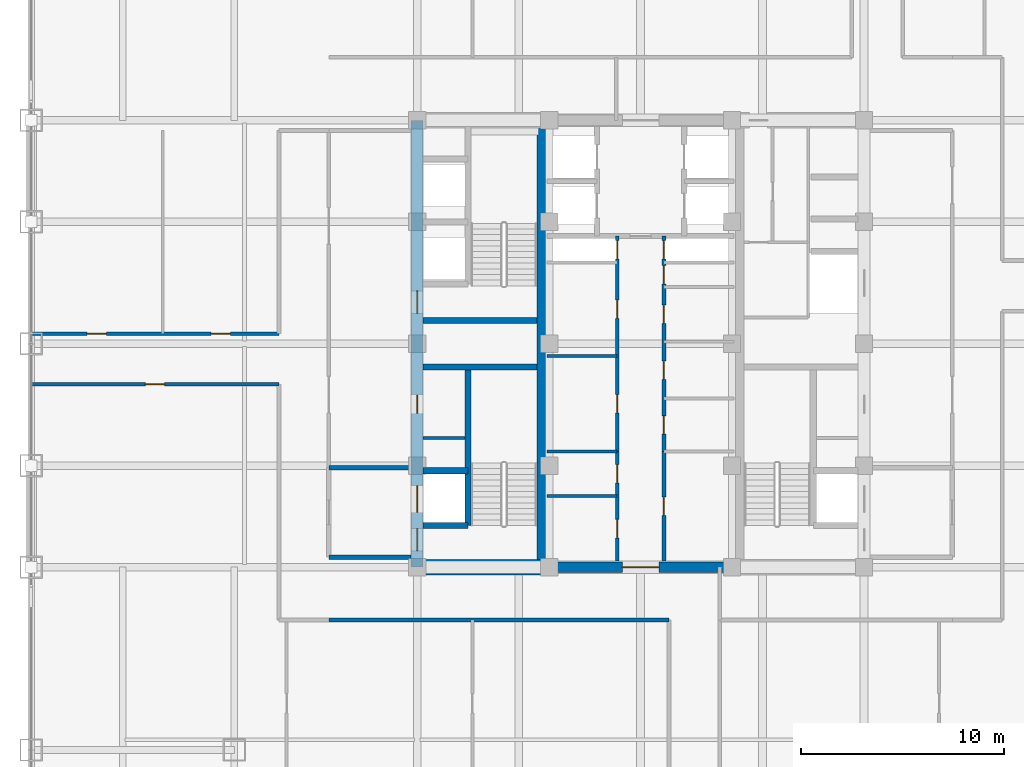
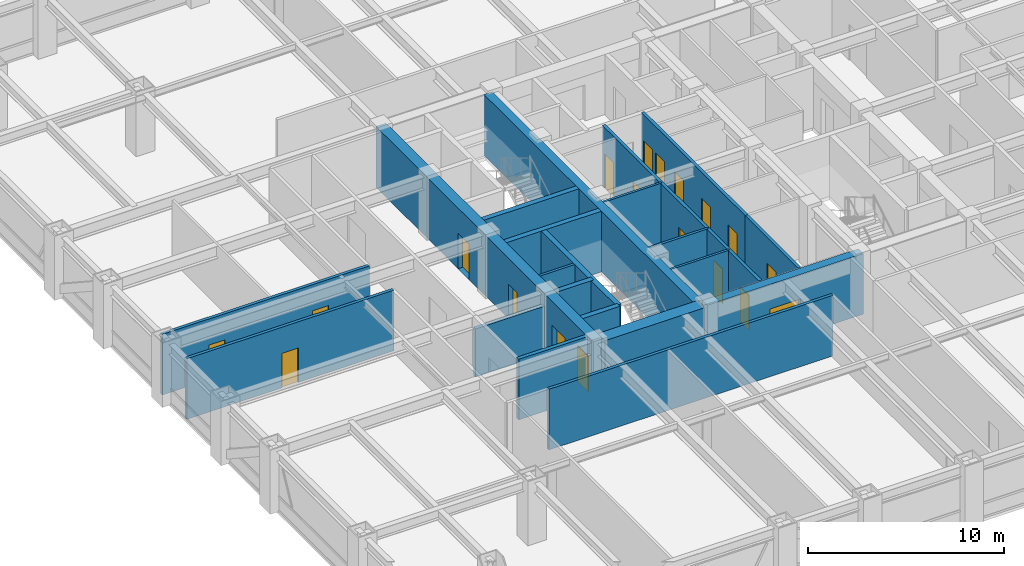
# One storey, part 20 of 24: 22 walls, 19 doors, 19 openings.
"""IFC4 building model written with IfcOpenShell, lengths in metres."""

from ifc_helpers import new_model, si_unit, direction, frame, frame_2d, origin, place, context, subcontext, project, spatial, rectangle, extrude, source, transform, mapped, material, layer, layer_set, type_object, element, fill, save


model = new_model("IFC4")

# Units and contexts
model_context = context("Model", 3, precision=1e-05, world=origin(), true_north=direction((0.0, 1.0)))
body_context = subcontext(model_context, "Body", "Model", "MODEL_VIEW")
ifc_project = project(units=[si_unit("LENGTHUNIT", "METRE"), si_unit("AREAUNIT", "SQUARE_METRE"), si_unit("VOLUMEUNIT", "CUBIC_METRE"), si_unit("PLANEANGLEUNIT", "RADIAN"), si_unit("MASSUNIT", "GRAM", prefix="KILO")], contexts=[model_context])

# Site, building, storey
site_placement = place(None, origin())
site = spatial("IfcSite", under=ifc_project, at=site_placement, CompositionType="ELEMENT")
building_placement = place(site_placement, origin())
building = spatial("IfcBuilding", under=site, at=building_placement, Name="Khorayat Bourse Tower", CompositionType="ELEMENT")
storey_placement = place(building_placement, frame((0.0, 0.0, 203.10009765625)))
storey = spatial("IfcBuildingStorey", under=building, at=storey_placement, Name="L47", CompositionType="ELEMENT", Elevation=203.10009765625)

# Wall, openings, doors
ifc_material_1 = material(Name="Concrete C60/75", Category="concrete")
ifc_layer_1 = layer(ifc_material_1, 0.60009765625)
ifc_layer_set_1 = layer_set([ifc_layer_1], Name="Concrete C60/75")
wall_type_1 = type_object("IfcWallType", Name="WAL-CORE-600", PredefinedType="SHEAR", material=ifc_layer_set_1)
shared_shape_1 = source(origin(), body_context, "Body", "SweptSolid", [
    extrude(rectangle(XDim=22.0, YDim=0.60009765625, at=frame_2d((11.0, 0.0))), origin(), (0.0, 0.0, 1.0), 3.77978515625),
])
wall_1_placement = place(storey_placement, frame((-11.0, -11.0, 0.0), z_axis=(0.0, 0.0, 1.0), x_axis=(0.0, 1.0, 0.0)))
wall_1 = element("IfcWall", 1, at=wall_1_placement, inside=storey, type_object=wall_type_1, Name="L47 Core Shear Wall CORE-W", PredefinedType="SHEAR", context=body_context, shape_type="MappedRepresentation", body=[
    mapped(shared_shape_1, transform((0.0, 0.0, 0.0), scale=1.0)),
])
shared_shape_2 = source(origin(), body_context, "Body", "SweptSolid", [
    extrude(rectangle(XDim=1.10009765625, YDim=2.199951171875, at=frame_2d((0.550048828125, 1.10009765625))), frame((0.0, 0.31005859375, 0.0), z_axis=(0.0, -1.0, 0.0), x_axis=(1.0, 0.0, 0.0)), (0.0, 0.0, 1.0), 0.6201171875),
])
opening_1_placement = place(wall_1_placement, frame((0.800048828125, 0.0, 0.0)))
opening_1 = element("IfcOpeningElement", 2, at=opening_1_placement, cuts=wall_1, Name="Opening DI-01", PredefinedType="OPENING", context=body_context, shape_type="MappedRepresentation", body=[
    mapped(shared_shape_2, transform((0.0, 0.0, 0.0), scale=1.0)),
])
opening_2_placement = place(wall_1_placement, frame((12.5, 0.0, 0.0)))
opening_2 = element("IfcOpeningElement", 3, at=opening_2_placement, cuts=wall_1, Name="Opening DI-01", PredefinedType="OPENING", context=body_context, shape_type="MappedRepresentation", body=[
    mapped(shared_shape_2, transform((0.0, 0.0, 0.0), scale=1.0)),
])
shared_shape_3 = source(origin(), body_context, "Body", "SweptSolid", [
    extrude(rectangle(XDim=0.89990234375, YDim=2.14990234375, at=frame_2d((0.449951171875, 1.074951171875))), frame((0.0, 0.31005859375, 0.0), z_axis=(0.0, -1.0, 0.0), x_axis=(1.0, 0.0, 0.0)), (0.0, 0.0, 1.0), 0.6201171875),
])
opening_3_placement = place(wall_1_placement, frame((7.574951171875, 0.0, 0.0)))
opening_3 = element("IfcOpeningElement", 4, at=opening_3_placement, cuts=wall_1, Name="Opening DI-06", PredefinedType="OPENING", context=body_context, shape_type="MappedRepresentation", body=[
    mapped(shared_shape_3, transform((0.0, 0.0, 0.0), scale=1.0)),
])
shared_shape_4 = source(origin(), body_context, "Body", "SweptSolid", [
    extrude(rectangle(XDim=1.300048828125, YDim=2.300048828125, at=frame_2d((0.64990234375, 1.14990234375))), frame((0.0, 0.31005859375, 0.0), z_axis=(0.0, -1.0, 0.0), x_axis=(1.0, 0.0, 0.0)), (0.0, 0.0, 1.0), 0.6201171875),
])
opening_4_placement = place(wall_1_placement, frame((2.699951171875, 0.0, 0.0)))
opening_4 = element("IfcOpeningElement", 5, at=opening_4_placement, cuts=wall_1, Name="Opening LD-02", PredefinedType="OPENING", context=body_context, shape_type="MappedRepresentation", body=[
    mapped(shared_shape_4, transform((0.0, 0.0, 0.0), scale=1.0)),
])
ifc_material_2 = material(Name="Fire-rated steel acoustic leaf", Category="steel")
door_type_1 = type_object("IfcDoorType", Name="DR-INT-STAIR-1100", OperationType="NOTDEFINED", PredefinedType="DOOR", material=ifc_material_2)
shared_shape_5 = source(origin(), body_context, "Body", "SweptSolid", [
    extrude(rectangle(XDim=1.10009765625, YDim=2.199951171875, at=frame_2d((0.550048828125, 1.10009765625))), frame((0.0, 0.02490234375, 0.0), z_axis=(0.0, -1.0, 0.0), x_axis=(1.0, 0.0, 0.0)), (0.0, 0.0, 1.0), 0.050048828125),
])
door_1_placement = place(opening_1_placement, origin())
door_1 = element("IfcDoor", 6, at=door_1_placement, inside=storey, type_object=door_type_1, Name="L47 Exit Stair 1 Door", OperationType="SINGLE_SWING_RIGHT", OverallHeight=2.199951171875, OverallWidth=1.10009765625, PredefinedType="DOOR", context=body_context, shape_type="MappedRepresentation", body=[
    mapped(shared_shape_5, transform((0.0, 0.0, 0.0), scale=1.0)),
])
fill(opening_1, door_1)
door_2_placement = place(opening_2_placement, origin())
door_2 = element("IfcDoor", 7, at=door_2_placement, inside=storey, type_object=door_type_1, Name="L47 Exit Stair 2 Door", OperationType="SINGLE_SWING_RIGHT", OverallHeight=2.199951171875, OverallWidth=1.10009765625, PredefinedType="DOOR", context=body_context, shape_type="MappedRepresentation", body=[
    mapped(shared_shape_5, transform((0.0, 0.0, 0.0), scale=1.0)),
])
fill(opening_2, door_2)
ifc_material_3 = material(Name="Moisture-resistant laminate washroom door")
door_type_2 = type_object("IfcDoorType", Name="DR-INT-WC-900", OperationType="NOTDEFINED", PredefinedType="DOOR", material=ifc_material_3)
shared_shape_6 = source(origin(), body_context, "Body", "SweptSolid", [
    extrude(rectangle(XDim=0.89990234375, YDim=2.14990234375, at=frame_2d((0.449951171875, 1.074951171875))), frame((0.0, 0.02490234375, 0.0), z_axis=(0.0, -1.0, 0.0), x_axis=(1.0, 0.0, 0.0)), (0.0, 0.0, 1.0), 0.050048828125),
])
door_3_placement = place(opening_3_placement, origin())
door_3 = element("IfcDoor", 8, at=door_3_placement, inside=storey, type_object=door_type_2, Name="L47 UPS Switch Plant Room Door", OperationType="SINGLE_SWING_RIGHT", OverallHeight=2.14990234375, OverallWidth=0.89990234375, PredefinedType="DOOR", context=body_context, shape_type="MappedRepresentation", body=[
    mapped(shared_shape_6, transform((0.0, 0.0, 0.0), scale=1.0)),
])
fill(opening_3, door_3)
ifc_material_4 = material(Name="Fire-rated stainless-steel sliding landing door", Category="steel")
door_type_3 = type_object("IfcDoorType", Name="DR-LIFT-FF-1300", OperationType="NOTDEFINED", PredefinedType="DOOR", material=ifc_material_4)
shared_shape_7 = source(origin(), body_context, "Body", "SweptSolid", [
    extrude(rectangle(XDim=1.300048828125, YDim=2.300048828125, at=frame_2d((0.64990234375, 1.14990234375))), frame((0.0, 0.02490234375, 0.0), z_axis=(0.0, -1.0, 0.0), x_axis=(1.0, 0.0, 0.0)), (0.0, 0.0, 1.0), 0.050048828125),
])
door_4_placement = place(opening_4_placement, origin())
door_4 = element("IfcDoor", 9, at=door_4_placement, inside=storey, type_object=door_type_3, Name="L47 Lift FFL-01 Sliding Landing Door", OperationType="SLIDING_TO_LEFT", OverallHeight=2.300048828125, OverallWidth=1.300048828125, PredefinedType="DOOR", context=body_context, shape_type="MappedRepresentation", body=[
    mapped(shared_shape_7, transform((0.0, 0.0, 0.0), scale=1.0)),
])
fill(opening_4, door_4)

# Walls
ifc_material_5 = material(Name="Concrete C52/65", Category="concrete")
ifc_layer_2 = layer(ifc_material_5, 0.5)
ifc_layer_set_2 = layer_set([ifc_layer_2], Name="Concrete C52/65")
wall_type_2 = type_object("IfcWallType", Name="WAL-CORE-500", PredefinedType="SHEAR", material=ifc_layer_set_2)
shared_shape_8 = source(origin(), body_context, "Body", "SweptSolid", [
    extrude(rectangle(XDim=21.39990234375, YDim=0.5, at=frame_2d((10.699951171875, 0.0))), origin(), (0.0, 0.0, 1.0), 3.77978515625),
])
wall_2_placement = place(storey_placement, frame((-4.85009765625, -10.699951171875, 0.0), z_axis=(0.0, 0.0, 1.0), x_axis=(0.0, 1.0, 0.0)))
element("IfcWall", 10, at=wall_2_placement, inside=storey, type_object=wall_type_2, Name="L47 Core Shear Wall PIER-W", PredefinedType="SHEAR", context=body_context, shape_type="MappedRepresentation", body=[
    mapped(shared_shape_8, transform((0.0, 0.0, 0.0), scale=1.0)),
])
ifc_material_6 = material(Name="Concrete C72/90", Category="concrete")
ifc_layer_3 = layer(ifc_material_6, 0.75)
ifc_layer_set_3 = layer_set([ifc_layer_3], Name="Concrete C72/90")
wall_type_3 = type_object("IfcWallType", Name="WAL-CORE-750", PredefinedType="SHEAR", material=ifc_layer_set_3)
shared_shape_9 = source(origin(), body_context, "Body", "SweptSolid", [
    extrude(rectangle(XDim=5.849853515625, YDim=0.75, at=frame_2d((2.9248046875, 0.0))), origin(), (0.0, 0.0, 1.0), 3.77978515625),
])
wall_3_placement = place(storey_placement, frame((-10.699951171875, -11.0, 0.0), z_axis=(0.0, 0.0, 1.0), x_axis=(1.0, 0.0, 0.0)))
element("IfcWall", 11, at=wall_3_placement, inside=storey, type_object=wall_type_3, Name="L47 Core Shear Wall PIER-WS", PredefinedType="SHEAR", context=body_context, shape_type="MappedRepresentation", body=[
    mapped(shared_shape_9, transform((0.0, 0.0, 0.0), scale=1.0)),
])
ifc_material_7 = material(Name="Concrete C50/60", Category="concrete")
ifc_layer_4 = layer(ifc_material_7, 0.300048828125)
ifc_layer_set_4 = layer_set([ifc_layer_4], Name="Concrete C50/60")
wall_type_4 = type_object("IfcWallType", Name="WAL-SHAFT-300", PredefinedType="SHEAR", material=ifc_layer_set_4)
shared_shape_10 = source(origin(), body_context, "Body", "SweptSolid", [
    extrude(rectangle(XDim=5.599853515625, YDim=0.300048828125, at=frame_2d((2.7998046875, 0.0))), origin(), (0.0, 0.0, 1.0), 3.77978515625),
])
for number, where, z_axis, x_axis, name in (
    (12, (-10.699951171875, -1.14990234375, 0.0), (0.0, 0.0, 1.0), (1.0, 0.0, 0.0), "L47 Core Shear Wall ST1-DIV"),
    (13, (-10.699951171875, 1.14990234375, 0.0), (0.0, 0.0, 1.0), (1.0, 0.0, 0.0), "L47 Core Shear Wall ST2-DIV"),
):
    element("IfcWall", number, at=place(storey_placement, frame(where, z_axis=z_axis, x_axis=x_axis)), inside=storey, type_object=wall_type_4, Name=name, PredefinedType="SHEAR", context=body_context, shape_type="MappedRepresentation", body=[
        mapped(shared_shape_10, transform((0.0, 0.0, 0.0), scale=1.0)),
    ])

# Wall, opening, door
shared_shape_11 = source(origin(), body_context, "Body", "SweptSolid", [
    extrude(rectangle(XDim=9.2001953125, YDim=0.5, at=frame_2d((4.60009765625, 0.0))), origin(), (0.0, 0.0, 1.0), 3.77978515625),
])
wall_4_placement = place(storey_placement, frame((-4.60009765625, -11.0, 0.0), z_axis=(0.0, 0.0, 1.0), x_axis=(1.0, 0.0, 0.0)))
wall_4 = element("IfcWall", 14, at=wall_4_placement, inside=storey, type_object=wall_type_2, Name="L47 Core Shear Wall CORE-S", PredefinedType="SHEAR", context=body_context, shape_type="MappedRepresentation", body=[
    mapped(shared_shape_11, transform((0.0, 0.0, 0.0), scale=1.0)),
])
shared_shape_12 = source(origin(), body_context, "Body", "SweptSolid", [
    extrude(rectangle(XDim=1.800048828125, YDim=2.25, at=frame_2d((0.89990234375, 1.125))), frame((0.0, 0.260009765625, 0.0), z_axis=(0.0, -1.0, 0.0), x_axis=(1.0, 0.0, 0.0)), (0.0, 0.0, 1.0), 0.52001953125),
])
opening_5_placement = place(wall_4_placement, frame((3.699951171875, 0.0, 0.0)))
opening_5 = element("IfcOpeningElement", 15, at=opening_5_placement, cuts=wall_4, Name="Opening DI-03", PredefinedType="OPENING", context=body_context, shape_type="MappedRepresentation", body=[
    mapped(shared_shape_12, transform((0.0, 0.0, 0.0), scale=1.0)),
])
ifc_material_8 = material(Name="Fire-rated hardwood vision-panel double leaf", Category="wood")
door_type_4 = type_object("IfcDoorType", Name="DR-INT-CORR-1800", OperationType="NOTDEFINED", PredefinedType="DOOR", material=ifc_material_8)
shared_shape_13 = source(origin(), body_context, "Body", "SweptSolid", [
    extrude(rectangle(XDim=1.800048828125, YDim=2.25, at=frame_2d((0.89990234375, 1.125))), frame((0.0, 0.02490234375, 0.0), z_axis=(0.0, -1.0, 0.0), x_axis=(1.0, 0.0, 0.0)), (0.0, 0.0, 1.0), 0.050048828125),
])
door_5_placement = place(opening_5_placement, origin())
door_5 = element("IfcDoor", 16, at=door_5_placement, inside=storey, type_object=door_type_4, Name="L47 Central Core South Passage Door", OperationType="SINGLE_SWING_LEFT", OverallHeight=2.25, OverallWidth=1.800048828125, PredefinedType="DOOR", context=body_context, shape_type="MappedRepresentation", body=[
    mapped(shared_shape_13, transform((0.0, 0.0, 0.0), scale=1.0)),
])
fill(opening_5, door_5)

# Walls
shared_shape_14 = source(origin(), body_context, "Body", "SweptSolid", [
    extrude(rectangle(XDim=7.800048828125, YDim=0.300048828125, at=frame_2d((3.89990234375, 0.0))), origin(), (0.0, 0.0, 1.0), 3.77978515625),
])
wall_5_placement = place(storey_placement, frame((-8.5, -8.949951171875, 0.0), z_axis=(0.0, 0.0, 1.0), x_axis=(0.0, 1.0, 0.0)))
element("IfcWall", 17, at=wall_5_placement, inside=storey, type_object=wall_type_4, Name="L47 Partition WAL-L47-WPIER-SP", PredefinedType="SHEAR", context=body_context, shape_type="MappedRepresentation", body=[
    mapped(shared_shape_14, transform((0.0, 0.0, 0.0), scale=1.0)),
])
shared_shape_15 = source(origin(), body_context, "Body", "SweptSolid", [
    extrude(rectangle(XDim=2.199951171875, YDim=0.300048828125, at=frame_2d((1.10009765625, 0.0))), origin(), (0.0, 0.0, 1.0), 3.77978515625),
])
for number, where, z_axis, x_axis, name in (
    (18, (-10.699951171875, -8.949951171875, 0.0), (0.0, 0.0, 1.0), (1.0, 0.0, 0.0), "L47 Partition WAL-L47-WPIER-FF1S"),
    (19, (-10.699951171875, -6.25, 0.0), (0.0, 0.0, 1.0), (1.0, 0.0, 0.0), "L47 Partition WAL-L47-WPIER-FF1N"),
):
    element("IfcWall", number, at=place(storey_placement, frame(where, z_axis=z_axis, x_axis=x_axis)), inside=storey, type_object=wall_type_4, Name=name, PredefinedType="SHEAR", context=body_context, shape_type="MappedRepresentation", body=[
        mapped(shared_shape_15, transform((0.0, 0.0, 0.0), scale=1.0)),
    ])
ifc_material_9 = material(Name="Gypsum plasterboard twin-frame partition")
ifc_layer_5 = layer(ifc_material_9, 0.14990234375)
ifc_layer_set_5 = layer_set([ifc_layer_5], Name="Gypsum plasterboard twin-frame partition")
wall_type_5 = type_object("IfcWallType", Name="WAL-PART-SUITE-150", PredefinedType="PARTITIONING", material=ifc_layer_set_5)
shared_shape_16 = source(origin(), body_context, "Body", "SweptSolid", [
    extrude(rectangle(XDim=2.050048828125, YDim=0.14990234375, at=frame_2d((1.02490234375, 0.0))), origin(), (0.0, 0.0, 1.0), 3.77978515625),
])
wall_6_placement = place(storey_placement, frame((-10.699951171875, -4.64990234375, 0.0), z_axis=(0.0, 0.0, 1.0), x_axis=(1.0, 0.0, 0.0)))
element("IfcWall", 20, at=wall_6_placement, inside=storey, type_object=wall_type_5, Name="L47 Partition WAL-L47-WSRV-S0", PredefinedType="PARTITIONING", context=body_context, shape_type="MappedRepresentation", body=[
    mapped(shared_shape_16, transform((0.0, 0.0, 0.0), scale=1.0)),
])
ifc_material_10 = material(Name="Aerated concrete blockwork", Category="masonry")
ifc_layer_6 = layer(ifc_material_10, 0.219970703125)
ifc_layer_set_6 = layer_set([ifc_layer_6], Name="Aerated concrete blockwork")
wall_type_6 = type_object("IfcWallType", Name="WAL-PART-FF-220", PredefinedType="PARTITIONING", material=ifc_layer_set_6)
shared_shape_17 = source(origin(), body_context, "Body", "SweptSolid", [
    extrude(rectangle(XDim=4.050048828125, YDim=0.219970703125, at=frame_2d((2.02490234375, 0.0))), origin(), (0.0, 0.0, 1.0), 3.77978515625),
])
wall_7_placement = place(storey_placement, frame((-15.35009765625, -10.5, 0.0), z_axis=(0.0, 0.0, 1.0), x_axis=(1.0, 0.0, 0.0)))
element("IfcWall", 21, at=wall_7_placement, inside=storey, type_object=wall_type_6, Name="L47 Partition WAL-L47-FFLW-S", PredefinedType="PARTITIONING", context=body_context, shape_type="MappedRepresentation", body=[
    mapped(shared_shape_17, transform((0.0, 0.0, 0.0), scale=1.0)),
])
shared_shape_18 = source(origin(), body_context, "Body", "SweptSolid", [
    extrude(rectangle(XDim=4.050048828125, YDim=0.219970703125, at=frame_2d((2.02490234375, 0.0))), origin(), (0.0, 0.0, 1.0), 3.0068359375),
])
wall_8_placement = place(storey_placement, frame((-15.35009765625, -6.10009765625, 0.0), z_axis=(0.0, 0.0, 1.0), x_axis=(1.0, 0.0, 0.0)))
element("IfcWall", 22, at=wall_8_placement, inside=storey, type_object=wall_type_6, Name="L47 Partition WAL-L47-FFLW-N", PredefinedType="PARTITIONING", context=body_context, shape_type="MappedRepresentation", body=[
    mapped(shared_shape_18, transform((0.0, 0.0, 0.0), scale=1.0)),
])
shared_shape_19 = source(origin(), body_context, "Body", "SweptSolid", [
    extrude(rectangle(XDim=3.4501953125, YDim=0.14990234375, at=frame_2d((1.72509765625, 0.0))), origin(), (0.0, 0.0, 1.0), 3.77978515625),
])
wall_9_placement = place(storey_placement, frame((-4.60009765625, -5.300048828125, 0.0), z_axis=(0.0, 0.0, 1.0), x_axis=(1.0, 0.0, 0.0)))
element("IfcWall", 23, at=wall_9_placement, inside=storey, type_object=wall_type_5, Name="L47 Partition WAL-L47-FB1-NW", PredefinedType="PARTITIONING", context=body_context, shape_type="MappedRepresentation", body=[
    mapped(shared_shape_19, transform((0.0, 0.0, 0.0), scale=1.0)),
])
ifc_material_11 = material(Name="Moisture-resistant masonry partition", Category="masonry")
ifc_layer_7 = layer(ifc_material_11, 0.139892578125)
ifc_layer_set_7 = layer_set([ifc_layer_7], Name="Moisture-resistant masonry partition")
wall_type_7 = type_object("IfcWallType", Name="WAL-PART-WET-140", PredefinedType="PARTITIONING", material=ifc_layer_set_7)
shared_shape_20 = source(origin(), body_context, "Body", "SweptSolid", [
    extrude(rectangle(XDim=3.4501953125, YDim=0.139892578125, at=frame_2d((1.72509765625, 0.0))), origin(), (0.0, 0.0, 1.0), 3.77978515625),
])
for number, where, z_axis, x_axis, name in (
    (24, (-4.60009765625, -7.5, 0.0), (0.0, 0.0, 1.0), (1.0, 0.0, 0.0), "L47 Partition WAL-L47-FB1W-D1"),
    (25, (-4.60009765625, -0.60009765625, 0.0), (0.0, 0.0, 1.0), (1.0, 0.0, 0.0), "L47 Partition WAL-L47-CMW-D1"),
):
    element("IfcWall", number, at=place(storey_placement, frame(where, z_axis=z_axis, x_axis=x_axis)), inside=storey, type_object=wall_type_7, Name=name, PredefinedType="PARTITIONING", context=body_context, shape_type="MappedRepresentation", body=[
        mapped(shared_shape_20, transform((0.0, 0.0, 0.0), scale=1.0)),
    ])

# Wall, openings, doors
ifc_material_12 = material(Name="Gypsum plasterboard acoustic stud wall")
ifc_layer_8 = layer(ifc_material_12, 0.179931640625)
ifc_layer_set_8 = layer_set([ifc_layer_8], Name="Gypsum plasterboard acoustic stud wall")
wall_type_8 = type_object("IfcWallType", Name="WAL-PART-CORR-180", PredefinedType="PARTITIONING", material=ifc_layer_set_8)
shared_shape_21 = source(origin(), body_context, "Body", "SweptSolid", [
    extrude(rectangle(XDim=5.39990234375, YDim=0.179931640625, at=frame_2d((2.699951171875, 0.0))), origin(), (0.0, 0.0, 1.0), 3.77978515625),
])
wall_10_placement = place(storey_placement, frame((-1.14990234375, -10.699951171875, 0.0), z_axis=(0.0, 0.0, 1.0), x_axis=(0.0, 1.0, 0.0)))
wall_10 = element("IfcWall", 26, at=wall_10_placement, inside=storey, type_object=wall_type_8, Name="L47 Partition WAL-L47-FB1W-L", PredefinedType="PARTITIONING", context=body_context, shape_type="MappedRepresentation", body=[
    mapped(shared_shape_21, transform((0.0, 0.0, 0.0), scale=1.0)),
])
shared_shape_22 = source(origin(), body_context, "Body", "SweptSolid", [
    extrude(rectangle(XDim=0.89990234375, YDim=2.14990234375, at=frame_2d((0.449951171875, 1.074951171875))), frame((0.0, 0.099853515625, 0.0), z_axis=(0.0, -1.0, 0.0), x_axis=(1.0, 0.0, 0.0)), (0.0, 0.0, 1.0), 0.199951171875),
])
opening_6_placement = place(wall_10_placement, frame((1.14990234375, 0.0, 0.0)))
opening_6 = element("IfcOpeningElement", 27, at=opening_6_placement, cuts=wall_10, Name="Opening DI-06", PredefinedType="OPENING", context=body_context, shape_type="MappedRepresentation", body=[
    mapped(shared_shape_22, transform((0.0, 0.0, 0.0), scale=1.0)),
])
opening_7_placement = place(wall_10_placement, frame((3.85009765625, 0.0, 0.0)))
opening_7 = element("IfcOpeningElement", 28, at=opening_7_placement, cuts=wall_10, Name="Opening DI-06", PredefinedType="OPENING", context=body_context, shape_type="MappedRepresentation", body=[
    mapped(shared_shape_22, transform((0.0, 0.0, 0.0), scale=1.0)),
])
door_6_placement = place(opening_6_placement, origin())
door_6 = element("IfcDoor", 29, at=door_6_placement, inside=storey, type_object=door_type_2, Name="L47 Records Vault Store Door", OperationType="SINGLE_SWING_RIGHT", OverallHeight=2.14990234375, OverallWidth=0.89990234375, PredefinedType="DOOR", context=body_context, shape_type="MappedRepresentation", body=[
    mapped(shared_shape_6, transform((0.0, 0.0, 0.0), scale=1.0)),
])
fill(opening_6, door_6)
door_7_placement = place(opening_7_placement, origin())
door_7 = element("IfcDoor", 30, at=door_7_placement, inside=storey, type_object=door_type_2, Name="L47 Sprinkler Valve Plant Room Door", OperationType="SINGLE_SWING_LEFT", OverallHeight=2.14990234375, OverallWidth=0.89990234375, PredefinedType="DOOR", context=body_context, shape_type="MappedRepresentation", body=[
    mapped(shared_shape_6, transform((0.0, 0.0, 0.0), scale=1.0)),
])
fill(opening_7, door_7)

# Wall, opening, door
wall_11_placement = place(storey_placement, frame((1.14990234375, -10.699951171875, 0.0), z_axis=(0.0, 0.0, 1.0), x_axis=(0.0, 1.0, 0.0)))
wall_11 = element("IfcWall", 31, at=wall_11_placement, inside=storey, type_object=wall_type_8, Name="L47 Partition WAL-L47-FB1E-L", PredefinedType="PARTITIONING", context=body_context, shape_type="MappedRepresentation", body=[
    mapped(shared_shape_21, transform((0.0, 0.0, 0.0), scale=1.0)),
])
opening_8_placement = place(wall_11_placement, frame((2.25, 0.0, 0.0)))
opening_8 = element("IfcOpeningElement", 32, at=opening_8_placement, cuts=wall_11, Name="Opening DI-06", PredefinedType="OPENING", context=body_context, shape_type="MappedRepresentation", body=[
    mapped(shared_shape_22, transform((0.0, 0.0, 0.0), scale=1.0)),
])
door_8_placement = place(opening_8_placement, origin())
door_8 = element("IfcDoor", 33, at=door_8_placement, inside=storey, type_object=door_type_2, Name="L47 Telemetry Server Plant Room Door", OperationType="SINGLE_SWING_RIGHT", OverallHeight=2.14990234375, OverallWidth=0.89990234375, PredefinedType="DOOR", context=body_context, shape_type="MappedRepresentation", body=[
    mapped(shared_shape_6, transform((0.0, 0.0, 0.0), scale=1.0)),
])
fill(opening_8, door_8)

# Wall, openings, doors
shared_shape_23 = source(origin(), body_context, "Body", "SweptSolid", [
    extrude(rectangle(XDim=10.60009765625, YDim=0.179931640625, at=frame_2d((5.300048828125, 0.0))), origin(), (0.0, 0.0, 1.0), 3.77978515625),
])
wall_12_placement = place(storey_placement, frame((-1.14990234375, -5.300048828125, 0.0), z_axis=(0.0, 0.0, 1.0), x_axis=(0.0, 1.0, 0.0)))
wall_12 = element("IfcWall", 34, at=wall_12_placement, inside=storey, type_object=wall_type_8, Name="L47 Partition WAL-L47-CMW-L", PredefinedType="PARTITIONING", context=body_context, shape_type="MappedRepresentation", body=[
    mapped(shared_shape_23, transform((0.0, 0.0, 0.0), scale=1.0)),
])
opening_9_placement = place(wall_12_placement, frame((1.89990234375, 0.0, 0.0)))
opening_9 = element("IfcOpeningElement", 35, at=opening_9_placement, cuts=wall_12, Name="Opening DI-06", PredefinedType="OPENING", context=body_context, shape_type="MappedRepresentation", body=[
    mapped(shared_shape_22, transform((0.0, 0.0, 0.0), scale=1.0)),
])
opening_10_placement = place(wall_12_placement, frame((6.550048828125, 0.0, 0.0)))
opening_10 = element("IfcOpeningElement", 36, at=opening_10_placement, cuts=wall_12, Name="Opening DI-06", PredefinedType="OPENING", context=body_context, shape_type="MappedRepresentation", body=[
    mapped(shared_shape_22, transform((0.0, 0.0, 0.0), scale=1.0)),
])
opening_11_placement = place(wall_12_placement, frame((9.47509765625, 0.0, 0.0)))
opening_11 = element("IfcOpeningElement", 37, at=opening_11_placement, cuts=wall_12, Name="Opening DI-06", PredefinedType="OPENING", context=body_context, shape_type="MappedRepresentation", body=[
    mapped(shared_shape_22, transform((0.0, 0.0, 0.0), scale=1.0)),
])
door_9_placement = place(opening_9_placement, origin())
door_9 = element("IfcDoor", 38, at=door_9_placement, inside=storey, type_object=door_type_2, Name="L47 Male Core Washroom Door", OperationType="SINGLE_SWING_RIGHT", OverallHeight=2.14990234375, OverallWidth=0.89990234375, PredefinedType="DOOR", context=body_context, shape_type="MappedRepresentation", body=[
    mapped(shared_shape_6, transform((0.0, 0.0, 0.0), scale=1.0)),
])
fill(opening_9, door_9)
door_10_placement = place(opening_10_placement, origin())
door_10 = element("IfcDoor", 39, at=door_10_placement, inside=storey, type_object=door_type_2, Name="L47 Chilled Water Riser Plant Room Door", OperationType="SINGLE_SWING_LEFT", OverallHeight=2.14990234375, OverallWidth=0.89990234375, PredefinedType="DOOR", context=body_context, shape_type="MappedRepresentation", body=[
    mapped(shared_shape_6, transform((0.0, 0.0, 0.0), scale=1.0)),
])
fill(opening_10, door_10)
door_11_placement = place(opening_11_placement, origin())
door_11 = element("IfcDoor", 40, at=door_11_placement, inside=storey, type_object=door_type_2, Name="L47 West Core Riser Door", OperationType="SINGLE_SWING_LEFT", OverallHeight=2.14990234375, OverallWidth=0.89990234375, PredefinedType="DOOR", context=body_context, shape_type="MappedRepresentation", body=[
    mapped(shared_shape_6, transform((0.0, 0.0, 0.0), scale=1.0)),
])
fill(opening_11, door_11)

wall_13_placement = place(storey_placement, frame((1.14990234375, -5.300048828125, 0.0), z_axis=(0.0, 0.0, 1.0), x_axis=(0.0, 1.0, 0.0)))
wall_13 = element("IfcWall", 41, at=wall_13_placement, inside=storey, type_object=wall_type_8, Name="L47 Partition WAL-L47-CME-L", PredefinedType="PARTITIONING", context=body_context, shape_type="MappedRepresentation", body=[
    mapped(shared_shape_23, transform((0.0, 0.0, 0.0), scale=1.0)),
])
opening_12_placement = place(wall_13_placement, frame((0.85009765625, 0.0, 0.0)))
opening_12 = element("IfcOpeningElement", 42, at=opening_12_placement, cuts=wall_13, Name="Opening DI-06", PredefinedType="OPENING", context=body_context, shape_type="MappedRepresentation", body=[
    mapped(shared_shape_22, transform((0.0, 0.0, 0.0), scale=1.0)),
])
opening_13_placement = place(wall_13_placement, frame((3.550048828125, 0.0, 0.0)))
opening_13 = element("IfcOpeningElement", 43, at=opening_13_placement, cuts=wall_13, Name="Opening DI-06", PredefinedType="OPENING", context=body_context, shape_type="MappedRepresentation", body=[
    mapped(shared_shape_22, transform((0.0, 0.0, 0.0), scale=1.0)),
])
opening_14_placement = place(wall_13_placement, frame((6.300048828125, 0.0, 0.0)))
opening_14 = element("IfcOpeningElement", 44, at=opening_14_placement, cuts=wall_13, Name="Opening DI-06", PredefinedType="OPENING", context=body_context, shape_type="MappedRepresentation", body=[
    mapped(shared_shape_22, transform((0.0, 0.0, 0.0), scale=1.0)),
])
opening_15_placement = place(wall_13_placement, frame((8.25, 0.0, 0.0)))
opening_15 = element("IfcOpeningElement", 45, at=opening_15_placement, cuts=wall_13, Name="Opening DI-06", PredefinedType="OPENING", context=body_context, shape_type="MappedRepresentation", body=[
    mapped(shared_shape_22, transform((0.0, 0.0, 0.0), scale=1.0)),
])
opening_16_placement = place(wall_13_placement, frame((9.47509765625, 0.0, 0.0)))
opening_16 = element("IfcOpeningElement", 46, at=opening_16_placement, cuts=wall_13, Name="Opening DI-06", PredefinedType="OPENING", context=body_context, shape_type="MappedRepresentation", body=[
    mapped(shared_shape_22, transform((0.0, 0.0, 0.0), scale=1.0)),
])
door_12_placement = place(opening_12_placement, origin())
door_12 = element("IfcDoor", 47, at=door_12_placement, inside=storey, type_object=door_type_2, Name="L47 Female Core Washroom Door", OperationType="SINGLE_SWING_RIGHT", OverallHeight=2.14990234375, OverallWidth=0.89990234375, PredefinedType="DOOR", context=body_context, shape_type="MappedRepresentation", body=[
    mapped(shared_shape_6, transform((0.0, 0.0, 0.0), scale=1.0)),
])
fill(opening_12, door_12)
door_13_placement = place(opening_13_placement, origin())
door_13 = element("IfcDoor", 48, at=door_13_placement, inside=storey, type_object=door_type_2, Name="L47 Comms Patch Room Door", OperationType="SINGLE_SWING_LEFT", OverallHeight=2.14990234375, OverallWidth=0.89990234375, PredefinedType="DOOR", context=body_context, shape_type="MappedRepresentation", body=[
    mapped(shared_shape_6, transform((0.0, 0.0, 0.0), scale=1.0)),
])
fill(opening_13, door_13)
door_14_placement = place(opening_14_placement, origin())
door_14 = element("IfcDoor", 49, at=door_14_placement, inside=storey, type_object=door_type_2, Name="L47 Janitor Cupboard Door", OperationType="SINGLE_SWING_RIGHT", OverallHeight=2.14990234375, OverallWidth=0.89990234375, PredefinedType="DOOR", context=body_context, shape_type="MappedRepresentation", body=[
    mapped(shared_shape_6, transform((0.0, 0.0, 0.0), scale=1.0)),
])
fill(opening_14, door_14)
door_15_placement = place(opening_15_placement, origin())
door_15 = element("IfcDoor", 50, at=door_15_placement, inside=storey, type_object=door_type_2, Name="L47 Fire Valve Plant Room Door", OperationType="SINGLE_SWING_LEFT", OverallHeight=2.14990234375, OverallWidth=0.89990234375, PredefinedType="DOOR", context=body_context, shape_type="MappedRepresentation", body=[
    mapped(shared_shape_6, transform((0.0, 0.0, 0.0), scale=1.0)),
])
fill(opening_15, door_15)
door_16_placement = place(opening_16_placement, origin())
door_16 = element("IfcDoor", 51, at=door_16_placement, inside=storey, type_object=door_type_2, Name="L47 East Core Riser Door", OperationType="SINGLE_SWING_RIGHT", OverallHeight=2.14990234375, OverallWidth=0.89990234375, PredefinedType="DOOR", context=body_context, shape_type="MappedRepresentation", body=[
    mapped(shared_shape_6, transform((0.0, 0.0, 0.0), scale=1.0)),
])
fill(opening_16, door_16)

# Wall
shared_shape_24 = source(origin(), body_context, "Body", "SweptSolid", [
    extrude(rectangle(XDim=16.75, YDim=0.179931640625, at=frame_2d((8.375, 0.0))), origin(), (0.0, 0.0, 1.0), 3.77978515625),
])
wall_14_placement = place(storey_placement, frame((-15.35009765625, -13.60009765625, 0.0), z_axis=(0.0, 0.0, 1.0), x_axis=(1.0, 0.0, 0.0)))
element("IfcWall", 52, at=wall_14_placement, inside=storey, type_object=wall_type_8, Name="L47 Partition WAL-L47-QSW-HC", PredefinedType="PARTITIONING", context=body_context, shape_type="MappedRepresentation", body=[
    mapped(shared_shape_24, transform((0.0, 0.0, 0.0), scale=1.0)),
])

# Wall, opening, door
shared_shape_25 = source(origin(), body_context, "Body", "SweptSolid", [
    extrude(rectangle(XDim=12.199951171875, YDim=0.179931640625, at=frame_2d((6.10009765625, 0.0))), origin(), (0.0, 0.0, 1.0), 3.77978515625),
])
wall_15_placement = place(storey_placement, frame((-30.0, -2.0, 0.0), z_axis=(0.0, 0.0, 1.0), x_axis=(1.0, 0.0, 0.0)))
wall_15 = element("IfcWall", 53, at=wall_15_placement, inside=storey, type_object=wall_type_8, Name="L47 Partition WAL-L47-WS-SPK", PredefinedType="PARTITIONING", context=body_context, shape_type="MappedRepresentation", body=[
    mapped(shared_shape_25, transform((0.0, 0.0, 0.0), scale=1.0)),
])
shared_shape_26 = source(origin(), body_context, "Body", "SweptSolid", [
    extrude(rectangle(XDim=0.949951171875, YDim=2.14990234375, at=frame_2d((0.47509765625, 1.074951171875))), frame((0.0, 0.099853515625, 0.0), z_axis=(0.0, -1.0, 0.0), x_axis=(1.0, 0.0, 0.0)), (0.0, 0.0, 1.0), 0.199951171875),
])
opening_17_placement = place(wall_15_placement, frame((5.625, 0.0, 0.0)))
opening_17 = element("IfcOpeningElement", 54, at=opening_17_placement, cuts=wall_15, Name="Opening DI-05", PredefinedType="OPENING", context=body_context, shape_type="MappedRepresentation", body=[
    mapped(shared_shape_26, transform((0.0, 0.0, 0.0), scale=1.0)),
])
ifc_material_13 = material(Name="Acoustic oak veneer office door")
door_type_5 = type_object("IfcDoorType", Name="DR-INT-OFFICE-950", OperationType="NOTDEFINED", PredefinedType="DOOR", material=ifc_material_13)
shared_shape_27 = source(origin(), body_context, "Body", "SweptSolid", [
    extrude(rectangle(XDim=0.949951171875, YDim=2.14990234375, at=frame_2d((0.47509765625, 1.074951171875))), frame((0.0, 0.02490234375, 0.0), z_axis=(0.0, -1.0, 0.0), x_axis=(1.0, 0.0, 0.0)), (0.0, 0.0, 1.0), 0.050048828125),
])
door_17_placement = place(opening_17_placement, origin())
door_17 = element("IfcDoor", 55, at=door_17_placement, inside=storey, type_object=door_type_5, Name="L47 Members Dining Room WS Door", OperationType="SINGLE_SWING_LEFT", OverallHeight=2.14990234375, OverallWidth=0.949951171875, PredefinedType="DOOR", context=body_context, shape_type="MappedRepresentation", body=[
    mapped(shared_shape_27, transform((0.0, 0.0, 0.0), scale=1.0)),
])
fill(opening_17, door_17)

# Wall, openings, doors
wall_16_placement = place(storey_placement, frame((-30.0, 0.5, 0.0), z_axis=(0.0, 0.0, 1.0), x_axis=(1.0, 0.0, 0.0)))
wall_16 = element("IfcWall", 56, at=wall_16_placement, inside=storey, type_object=wall_type_8, Name="L47 Partition WAL-L47-WN-SPK", PredefinedType="PARTITIONING", context=body_context, shape_type="MappedRepresentation", body=[
    mapped(shared_shape_25, transform((0.0, 0.0, 0.0), scale=1.0)),
])
opening_18_placement = place(wall_16_placement, frame((2.758056640625, 0.0, 0.0)))
opening_18 = element("IfcOpeningElement", 57, at=opening_18_placement, cuts=wall_16, Name="Opening DI-05", PredefinedType="OPENING", context=body_context, shape_type="MappedRepresentation", body=[
    mapped(shared_shape_26, transform((0.0, 0.0, 0.0), scale=1.0)),
])
opening_19_placement = place(wall_16_placement, frame((8.85791015625, 0.0, 0.0)))
opening_19 = element("IfcOpeningElement", 58, at=opening_19_placement, cuts=wall_16, Name="Opening DI-05", PredefinedType="OPENING", context=body_context, shape_type="MappedRepresentation", body=[
    mapped(shared_shape_26, transform((0.0, 0.0, 0.0), scale=1.0)),
])
door_18_placement = place(opening_18_placement, origin())
door_18 = element("IfcDoor", 59, at=door_18_placement, inside=storey, type_object=door_type_5, Name="L47 Members Club Room WNA Door", OperationType="SINGLE_SWING_LEFT", OverallHeight=2.14990234375, OverallWidth=0.949951171875, PredefinedType="DOOR", context=body_context, shape_type="MappedRepresentation", body=[
    mapped(shared_shape_27, transform((0.0, 0.0, 0.0), scale=1.0)),
])
fill(opening_18, door_18)
door_19_placement = place(opening_19_placement, origin())
door_19 = element("IfcDoor", 60, at=door_19_placement, inside=storey, type_object=door_type_5, Name="L47 Issuer Listing Showroom WNB Door", OperationType="SINGLE_SWING_RIGHT", OverallHeight=2.14990234375, OverallWidth=0.949951171875, PredefinedType="DOOR", context=body_context, shape_type="MappedRepresentation", body=[
    mapped(shared_shape_27, transform((0.0, 0.0, 0.0), scale=1.0)),
])
fill(opening_19, door_19)

save(model, "model.ifc")
